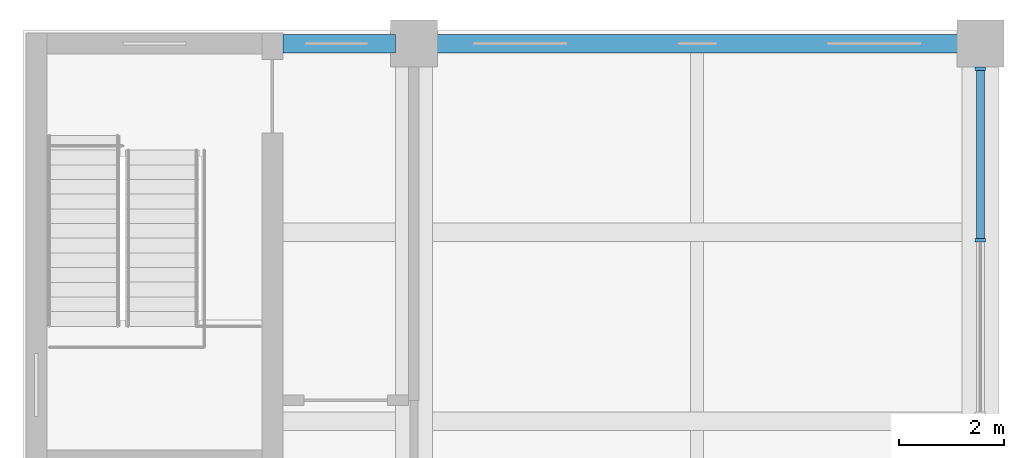
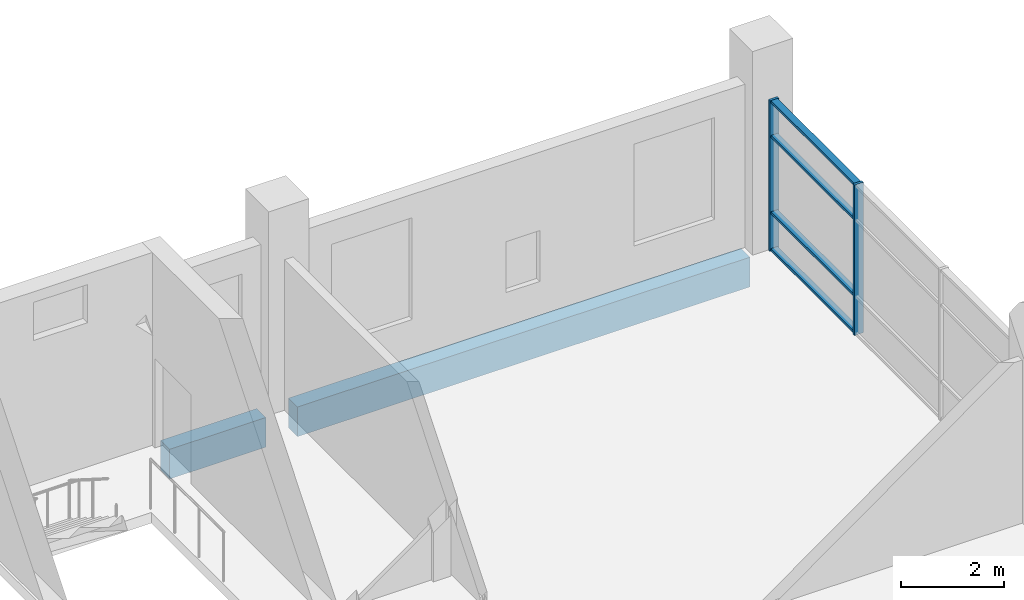
# One storey, part 8 of 15: 6 members, 2 beams, 1 element without a shape of its own.
"""IFC4 building model written with IfcOpenShell, lengths in metres."""

from ifc_helpers import new_model, si_unit, direction, frame, origin, origin_2d, place, context, subcontext, project, spatial, rectangle, extrude, material, layer, layer_set, material_profile, profile_set, type_object, element, aggregate, save


model = new_model("IFC4")

# Units and contexts
model_context = context("Model", 3, precision=1e-05, world=origin(), true_north=direction((0.0, 1.0)))
body_context = subcontext(model_context, "Body", "Model", "MODEL_VIEW")
ifc_project = project(units=[si_unit("LENGTHUNIT", "METRE"), si_unit("AREAUNIT", "SQUARE_METRE"), si_unit("VOLUMEUNIT", "CUBIC_METRE"), si_unit("PLANEANGLEUNIT", "RADIAN"), si_unit("MASSUNIT", "GRAM", prefix="KILO")], contexts=[model_context])

# Site, building, storey
site_placement = place(None, origin())
site = spatial("IfcSite", under=ifc_project, at=site_placement, CompositionType="ELEMENT")
building_placement = place(site_placement, origin())
building = spatial("IfcBuilding", under=site, at=building_placement, Name="Basin Gate Institute", CompositionType="ELEMENT")
storey_placement = place(building_placement, frame((0.0, 0.0, 55.800048828125)))
storey = spatial("IfcBuildingStorey", under=building, at=storey_placement, Name="L11", CompositionType="ELEMENT", Elevation=55.800048828125)

# Beams
ifc_material_1 = material(Name="Concrete 40 MPa", Category="concrete")
ifc_material_profile_1 = material_profile(ifc_material_1, rectangle(XDim=0.35009765625, YDim=0.699951171875, at=origin_2d()), Name="Beam B1 350 x 700")
ifc_profile_set_1 = profile_set([ifc_material_profile_1], Name="Concrete 40 MPa")
beam_type = type_object("IfcBeamType", Name="Beam B1 R120", PredefinedType="BEAM", material=ifc_profile_set_1)
beam_1_placement = place(storey_placement, frame((68.75, 99.89990234375, -0.60009765625), z_axis=(1.0, 0.0, 0.0), x_axis=(0.0, 1.0, 0.0)))
element("IfcBeam", 1, at=beam_1_placement, inside=storey, type_object=beam_type, material=ifc_profile_set_1, Name="BEAM/L11/W/EW/19", PredefinedType="BEAM", context=body_context, shape_type="SweptSolid", body=[
    extrude(rectangle(XDim=0.35009765625, YDim=0.699951171875, at=origin_2d()), origin(), (0.0, 0.0, 1.0), 10.10009765625),
])
beam_2_placement = place(storey_placement, frame((65.89990234375, 99.89990234375, -0.60009765625), z_axis=(1.0, 0.0, 0.0), x_axis=(0.0, 1.0, 0.0)))
element("IfcBeam", 2, at=beam_2_placement, inside=storey, type_object=beam_type, material=ifc_profile_set_1, Name="BEAM/L11/W/CORR/19", PredefinedType="BEAM", context=body_context, shape_type="SweptSolid", body=[
    extrude(rectangle(XDim=0.35009765625, YDim=0.699951171875, at=origin_2d()), origin(), (0.0, 0.0, 1.0), 2.150146484375),
])

# Curtain wall, members
ifc_material_2 = material(Name="Aluminium-framed glazing", Category="aluminium")
ifc_layer = layer(ifc_material_2, 0.199951171875)
ifc_layer_set = layer_set([ifc_layer], Name="Atrium curtain wall CW2")
curtain_wall_type = type_object("IfcCurtainWallType", Name="Atrium curtain wall CW2", PredefinedType="NOTDEFINED", material=ifc_layer_set)
curtain_wall_placement = place(storey_placement, origin())
curtain_wall = element("IfcCurtainWall", 3, at=curtain_wall_placement, inside=storey, type_object=curtain_wall_type, material=ifc_layer_set, Name="Atrium curtain wall W wing atrium bay 6 L11", PredefinedType="NOTDEFINED")
ifc_material_3 = material(Name="Aluminium", Category="aluminium")
ifc_material_profile_2 = material_profile(ifc_material_3, rectangle(XDim=0.199951171875, YDim=0.06005859375, at=origin_2d()), Name="Mullion MU2 200 x 60")
ifc_profile_set_2 = profile_set([ifc_material_profile_2], Name="Aluminium")
member_type_1 = type_object("IfcMemberType", Name="Mullion MU2", PredefinedType="MULLION", material=ifc_profile_set_2)
member_1_placement = place(storey_placement, frame((79.199951171875, 96.14990234375, 0.0), z_axis=(0.0, 0.0, 1.0), x_axis=(-1.0, 0.0, 0.0)))
member_1 = element("IfcMember", 4, at=member_1_placement, type_object=member_type_1, material=ifc_profile_set_2, Name="CW2 mullion 3", PredefinedType="MULLION", context=body_context, shape_type="SweptSolid", body=[
    extrude(rectangle(XDim=0.199951171875, YDim=0.06005859375, at=origin_2d()), origin(), (0.0, 0.0, 1.0), 3.550048828125),
])
member_2_placement = place(storey_placement, frame((79.199951171875, 99.419921875, 0.0), z_axis=(0.0, 0.0, 1.0), x_axis=(-1.0, 0.0, 0.0)))
member_2 = element("IfcMember", 5, at=member_2_placement, type_object=member_type_1, material=ifc_profile_set_2, Name="CW2 mullion 4", PredefinedType="MULLION", context=body_context, shape_type="SweptSolid", body=[
    extrude(rectangle(XDim=0.199951171875, YDim=0.06005859375, at=origin_2d()), origin(), (0.0, 0.0, 1.0), 3.550048828125),
])
ifc_material_4 = material(Name="Aluminium", Category="aluminium")
ifc_material_profile_3 = material_profile(ifc_material_4, rectangle(XDim=0.14990234375, YDim=0.06005859375, at=origin_2d()), Name="Transom TR2 150 x 60")
ifc_profile_set_3 = profile_set([ifc_material_profile_3], Name="Aluminium")
member_type_2 = type_object("IfcMemberType", Name="Transom TR2", PredefinedType="USERDEFINED", material=ifc_profile_set_3)
member_3_placement = place(storey_placement, frame((79.199951171875, 96.179931640625, 0.030029296875), z_axis=(0.0, 1.0, 0.0), x_axis=(-1.0, 0.0, 0.0)))
member_3 = element("IfcMember", 6, at=member_3_placement, type_object=member_type_2, material=ifc_profile_set_3, Name="CW2 transom 3.1", ObjectType="TRANSOM", PredefinedType="USERDEFINED", context=body_context, shape_type="SweptSolid", body=[
    extrude(rectangle(XDim=0.14990234375, YDim=0.06005859375, at=origin_2d()), origin(), (0.0, 0.0, 1.0), 3.2099609375),
])
member_4_placement = place(storey_placement, frame((79.199951171875, 96.179931640625, 0.89990234375), z_axis=(0.0, 1.0, 0.0), x_axis=(-1.0, 0.0, 0.0)))
member_4 = element("IfcMember", 7, at=member_4_placement, type_object=member_type_2, material=ifc_profile_set_3, Name="CW2 transom 3.2", ObjectType="TRANSOM", PredefinedType="USERDEFINED", context=body_context, shape_type="SweptSolid", body=[
    extrude(rectangle(XDim=0.14990234375, YDim=0.06005859375, at=origin_2d()), origin(), (0.0, 0.0, 1.0), 3.2099609375),
])
member_5_placement = place(storey_placement, frame((79.199951171875, 96.179931640625, 2.699951171875), z_axis=(0.0, 1.0, 0.0), x_axis=(-1.0, 0.0, 0.0)))
member_5 = element("IfcMember", 8, at=member_5_placement, type_object=member_type_2, material=ifc_profile_set_3, Name="CW2 transom 3.3", ObjectType="TRANSOM", PredefinedType="USERDEFINED", context=body_context, shape_type="SweptSolid", body=[
    extrude(rectangle(XDim=0.14990234375, YDim=0.06005859375, at=origin_2d()), origin(), (0.0, 0.0, 1.0), 3.2099609375),
])
member_6_placement = place(storey_placement, frame((79.199951171875, 96.179931640625, 3.52001953125), z_axis=(0.0, 1.0, 0.0), x_axis=(-1.0, 0.0, 0.0)))
member_6 = element("IfcMember", 9, at=member_6_placement, type_object=member_type_2, material=ifc_profile_set_3, Name="CW2 transom 3.4", ObjectType="TRANSOM", PredefinedType="USERDEFINED", context=body_context, shape_type="SweptSolid", body=[
    extrude(rectangle(XDim=0.14990234375, YDim=0.06005859375, at=origin_2d()), origin(), (0.0, 0.0, 1.0), 3.2099609375),
])
aggregate(curtain_wall, [member_1, member_2, member_3, member_4, member_5, member_6])

save(model, "model.ifc")
